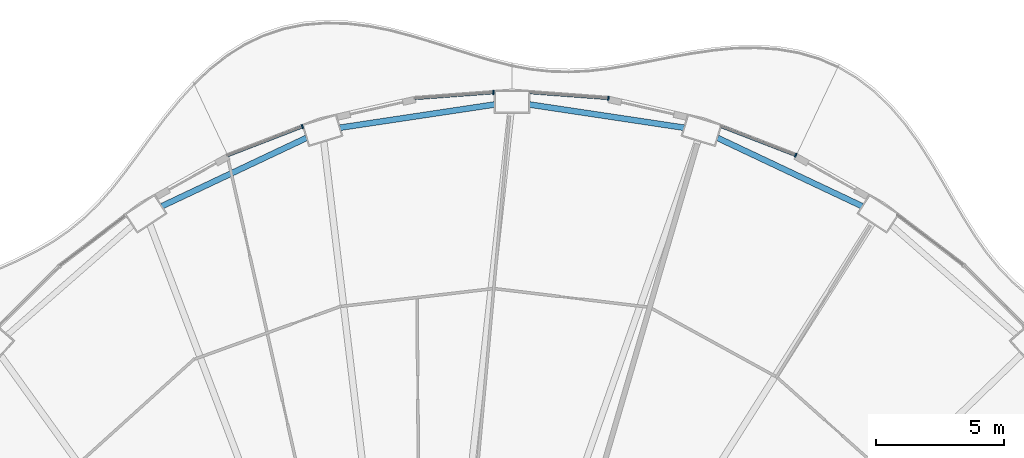
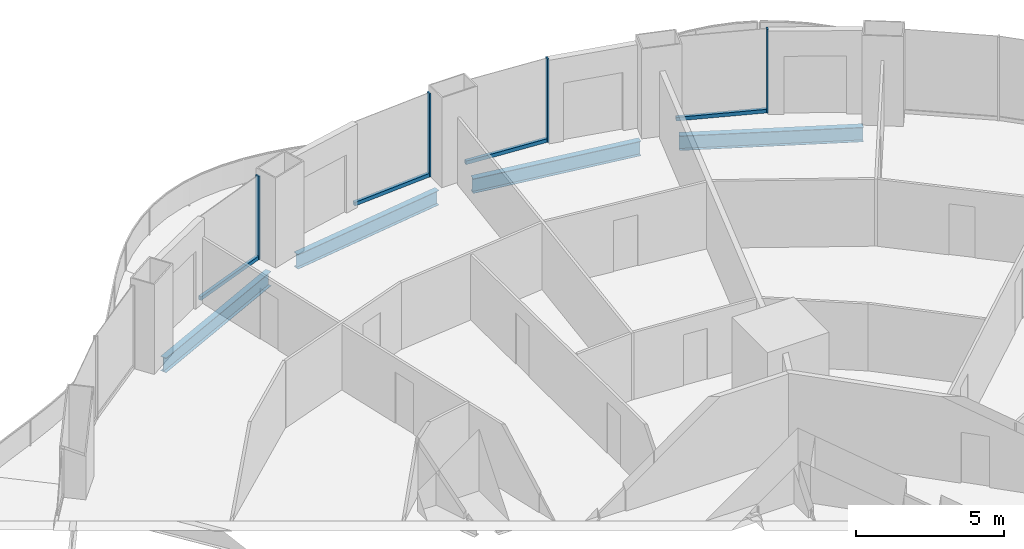
# One storey, part 11 of 22: 8 members, 4 beams, 4 elements without a shape of their own.
"""IFC4 building model written with IfcOpenShell, lengths in metres."""

from ifc_helpers import new_model, si_unit, direction, frame, origin, origin_2d, place, context, subcontext, project, spatial, rectangle, i_section, extrude, material, layer, layer_set, material_profile, profile_set, type_object, element, aggregate, save


model = new_model("IFC4")

# Units and contexts
model_context = context("Model", 3, precision=1e-05, world=origin(), true_north=direction((0.0, 1.0)))
body_context = subcontext(model_context, "Body", "Model", "MODEL_VIEW")
ifc_project = project(units=[si_unit("LENGTHUNIT", "METRE"), si_unit("AREAUNIT", "SQUARE_METRE"), si_unit("VOLUMEUNIT", "CUBIC_METRE"), si_unit("PLANEANGLEUNIT", "RADIAN"), si_unit("MASSUNIT", "GRAM", prefix="KILO")], contexts=[model_context])

# Site, building, storey
site_placement = place(None, origin())
site = spatial("IfcSite", under=ifc_project, at=site_placement, CompositionType="ELEMENT")
building_placement = place(site_placement, origin())
building = spatial("IfcBuilding", under=site, at=building_placement, Name="Nagisa Residences", CompositionType="ELEMENT")
storey_placement = place(building_placement, frame((0.0, 0.0, 34.39990234375)))
storey = spatial("IfcBuildingStorey", under=building, at=storey_placement, Name="L07", CompositionType="ELEMENT", Elevation=34.39990234375)

# Curtain wall, member
ifc_material_1 = material(Name="Concrete-coloured aluminium curtain wall system", Category="concrete")
ifc_layer = layer(ifc_material_1, 0.159912109375)
ifc_layer_set = layer_set([ifc_layer], Name="CW1 CURTAIN WALL")
curtain_wall_type = type_object("IfcCurtainWallType", Name="CW1 CURTAIN WALL", PredefinedType="NOTDEFINED", material=ifc_layer_set)
curtain_wall_1_placement = place(storey_placement, origin())
curtain_wall_1 = element("IfcCurtainWall", 1, at=curtain_wall_1_placement, inside=storey, type_object=curtain_wall_type, Name="cw:CW1:L07:09", PredefinedType="NOTDEFINED")
ifc_material_2 = material(Name="Concrete-coloured aluminium", Category="concrete")
ifc_material_profile_1 = material_profile(ifc_material_2, rectangle(XDim=0.159912109375, YDim=0.06005859375, at=origin_2d()), Name="CW1 MULLION 160x60")
ifc_profile_set_1 = profile_set([ifc_material_profile_1], Name="Concrete-coloured aluminium")
member_type_1 = type_object("IfcMemberType", Name="CW1 MULLION 160x60", PredefinedType="MULLION", material=ifc_profile_set_1)
member_1_placement = place(storey_placement, frame((14.64111328125, 30.42431640625, 0.0), z_axis=(0.0, 0.0, 1.0), x_axis=(-0.360327770268, -0.932825759707, 0.0)))
member_1 = element("IfcMember", 2, at=member_1_placement, type_object=member_type_1, Name="CW1 mullion", PredefinedType="MULLION", context=body_context, shape_type="SweptSolid", body=[
    extrude(rectangle(XDim=0.159912109375, YDim=0.06005859375, at=origin_2d()), origin(), (0.0, 0.0, 1.0), 3.440185546875),
])

curtain_wall_2_placement = place(storey_placement, origin())
curtain_wall_2 = element("IfcCurtainWall", 3, at=curtain_wall_2_placement, inside=storey, type_object=curtain_wall_type, Name="cw:CW1:L07:11", PredefinedType="NOTDEFINED")
member_2_placement = place(storey_placement, frame((7.349365234375, 32.64013671875, 0.0), z_axis=(0.0, 0.0, 1.0), x_axis=(-0.074377355493, -0.997230168512, 0.0)))
member_2 = element("IfcMember", 4, at=member_2_placement, type_object=member_type_1, Name="CW1 mullion", PredefinedType="MULLION", context=body_context, shape_type="SweptSolid", body=[
    extrude(rectangle(XDim=0.159912109375, YDim=0.06005859375, at=origin_2d()), origin(), (0.0, 0.0, 1.0), 3.440185546875),
])

curtain_wall_3_placement = place(storey_placement, origin())
curtain_wall_3 = element("IfcCurtainWall", 5, at=curtain_wall_3_placement, inside=storey, type_object=curtain_wall_type, Name="cw:CW1:L07:12", PredefinedType="NOTDEFINED")
member_3_placement = place(storey_placement, frame((2.8779296875, 32.865966796875, 0.0), z_axis=(0.0, 0.0, 1.0), x_axis=(0.074377355493, -0.997230168512, 0.0)))
member_3 = element("IfcMember", 6, at=member_3_placement, type_object=member_type_1, Name="CW1 mullion", PredefinedType="MULLION", context=body_context, shape_type="SweptSolid", body=[
    extrude(rectangle(XDim=0.159912109375, YDim=0.06005859375, at=origin_2d()), origin(), (0.0, 0.0, 1.0), 3.440185546875),
])

curtain_wall_4_placement = place(storey_placement, origin())
curtain_wall_4 = element("IfcCurtainWall", 7, at=curtain_wall_4_placement, inside=storey, type_object=curtain_wall_type, Name="cw:CW1:L07:14", PredefinedType="NOTDEFINED")
member_4_placement = place(storey_placement, frame((-4.557861328125, 31.537841796875, 0.0), z_axis=(0.0, 0.0, 1.0), x_axis=(0.360327770268, -0.932825759707, 0.0)))
member_4 = element("IfcMember", 8, at=member_4_placement, type_object=member_type_1, Name="CW1 mullion", PredefinedType="MULLION", context=body_context, shape_type="SweptSolid", body=[
    extrude(rectangle(XDim=0.159912109375, YDim=0.06005859375, at=origin_2d()), origin(), (0.0, 0.0, 1.0), 3.440185546875),
])

# Member
ifc_material_3 = material(Name="Concrete-coloured aluminium", Category="concrete")
ifc_material_profile_2 = material_profile(ifc_material_3, rectangle(XDim=0.1201171875, YDim=0.14990234375, at=origin_2d()), Name="CW1 TRANSOM 120x150")
ifc_profile_set_2 = profile_set([ifc_material_profile_2], Name="Concrete-coloured aluminium")
member_type_2 = type_object("IfcMemberType", Name="CW1 TRANSOM 120x150", PredefinedType="USERDEFINED", material=ifc_profile_set_2)
member_5_placement = place(storey_placement, frame((14.6689453125, 30.413330078125, 0.0751953125), z_axis=(-0.932825366452, 0.360328788337, 0.0), x_axis=(-0.360328788337, -0.932825366452, 0.0)))
member_5 = element("IfcMember", 9, at=member_5_placement, type_object=member_type_2, Name="CW1 transom", ObjectType="TRANSOM", PredefinedType="USERDEFINED", context=body_context, shape_type="SweptSolid", body=[
    extrude(rectangle(XDim=0.1201171875, YDim=0.14990234375, at=origin_2d()), origin(), (0.0, 0.0, 1.0), 3.150634765625),
])

aggregate(curtain_wall_1, [member_1, member_5])

member_6_placement = place(storey_placement, frame((7.37939453125, 32.637939453125, 0.0751953125), z_axis=(-0.997231270995, 0.07436257224, 0.0), x_axis=(-0.07436257224, -0.997231270995, 0.0)))
member_6 = element("IfcMember", 10, at=member_6_placement, type_object=member_type_2, Name="CW1 transom", ObjectType="TRANSOM", PredefinedType="USERDEFINED", context=body_context, shape_type="SweptSolid", body=[
    extrude(rectangle(XDim=0.1201171875, YDim=0.14990234375, at=origin_2d()), origin(), (0.0, 0.0, 1.0), 3.095947265625),
])

aggregate(curtain_wall_2, [member_2, member_6])

member_7_placement = place(storey_placement, frame((2.907958984375, 32.8681640625, 0.0751953125), z_axis=(-0.997230834878, -0.074368420505, 0.0), x_axis=(0.074368420505, -0.997230834878, 0.0)))
member_7 = element("IfcMember", 11, at=member_7_placement, type_object=member_type_2, Name="CW1 transom", ObjectType="TRANSOM", PredefinedType="USERDEFINED", context=body_context, shape_type="SweptSolid", body=[
    extrude(rectangle(XDim=0.1201171875, YDim=0.14990234375, at=origin_2d()), origin(), (0.0, 0.0, 1.0), 3.095703125),
])

aggregate(curtain_wall_3, [member_3, member_7])

member_8_placement = place(storey_placement, frame((-4.52978515625, 31.548583984375, 0.0751953125), z_axis=(-0.932835426425, -0.360302743822, 0.0), x_axis=(0.360302743822, -0.932835426425, 0.0)))
member_8 = element("IfcMember", 12, at=member_8_placement, type_object=member_type_2, Name="CW1 transom", ObjectType="TRANSOM", PredefinedType="USERDEFINED", context=body_context, shape_type="SweptSolid", body=[
    extrude(rectangle(XDim=0.1201171875, YDim=0.14990234375, at=origin_2d()), origin(), (0.0, 0.0, 1.0), 3.15087890625),
])

aggregate(curtain_wall_4, [member_4, member_8])

# Beams
ifc_material_4 = material(Name="Steel ASTM A572 Gr 50", Category="steel")
ifc_material_profile_3 = material_profile(ifc_material_4, i_section(OverallWidth=0.22802734375, OverallDepth=0.60302734375, WebThickness=0.010498046875, FlangeThickness=0.014892578125, at=origin_2d()), Name="W610x101")
ifc_profile_set_3 = profile_set([ifc_material_profile_3], Name="Steel ASTM A572 Gr 50")
beam_type = type_object("IfcBeamType", Name="Perimeter ring beam W610x101", PredefinedType="BEAM", material=ifc_profile_set_3)
beam_1_placement = place(storey_placement, frame((17.22900390625, 28.439208984375, -0.5615234375), z_axis=(-0.904215426643, 0.427076646774, 0.0), x_axis=(-0.427076646774, -0.904215426643, 0.0)))
element("IfcBeam", 13, at=beam_1_placement, inside=storey, type_object=beam_type, Name="beam:L07:pb05", PredefinedType="BEAM", context=body_context, shape_type="SweptSolid", body=[
    extrude(i_section(OverallWidth=0.22802734375, OverallDepth=0.60302734375, WebThickness=0.010498046875, FlangeThickness=0.014892578125, at=origin_2d()), origin(), (0.0, 0.0, 1.0), 6.2275390625),
])
for number, where, z_axis, x_axis, name in (
    (14, (10.29638671875, 31.49462890625, -0.5615234375), (-0.988914559467, 0.14848566959, 0.0), (-0.14848566959, -0.988914559467, 0.0), "beam:L07:pb06"),
    (15, (2.919677734375, 32.39794921875, -0.5615234375), (-0.988914559467, -0.14848566959, 0.0), (0.14848566959, -0.988914559467, 0.0), "beam:L07:pb07"),
):
    element("IfcBeam", number, at=place(storey_placement, frame(where, z_axis=z_axis, x_axis=x_axis)), inside=storey, type_object=beam_type, Name=name, PredefinedType="BEAM", context=body_context, shape_type="SweptSolid", body=[
        extrude(i_section(OverallWidth=0.22802734375, OverallDepth=0.60302734375, WebThickness=0.010498046875, FlangeThickness=0.014892578125, at=origin_2d()), origin(), (0.0, 0.0, 1.0), 6.08349609375),
    ])
beam_2_placement = place(storey_placement, frame((-4.39794921875, 31.098876953125, -0.5615234375), z_axis=(-0.904208275867, -0.427091786216, 0.0), x_axis=(0.427091786216, -0.904208275867, 0.0)))
element("IfcBeam", 16, at=beam_2_placement, inside=storey, type_object=beam_type, Name="beam:L07:pb08", PredefinedType="BEAM", context=body_context, shape_type="SweptSolid", body=[
    extrude(i_section(OverallWidth=0.22802734375, OverallDepth=0.60302734375, WebThickness=0.010498046875, FlangeThickness=0.014892578125, at=origin_2d()), origin(), (0.0, 0.0, 1.0), 6.227294921875),
])

save(model, "model.ifc")
